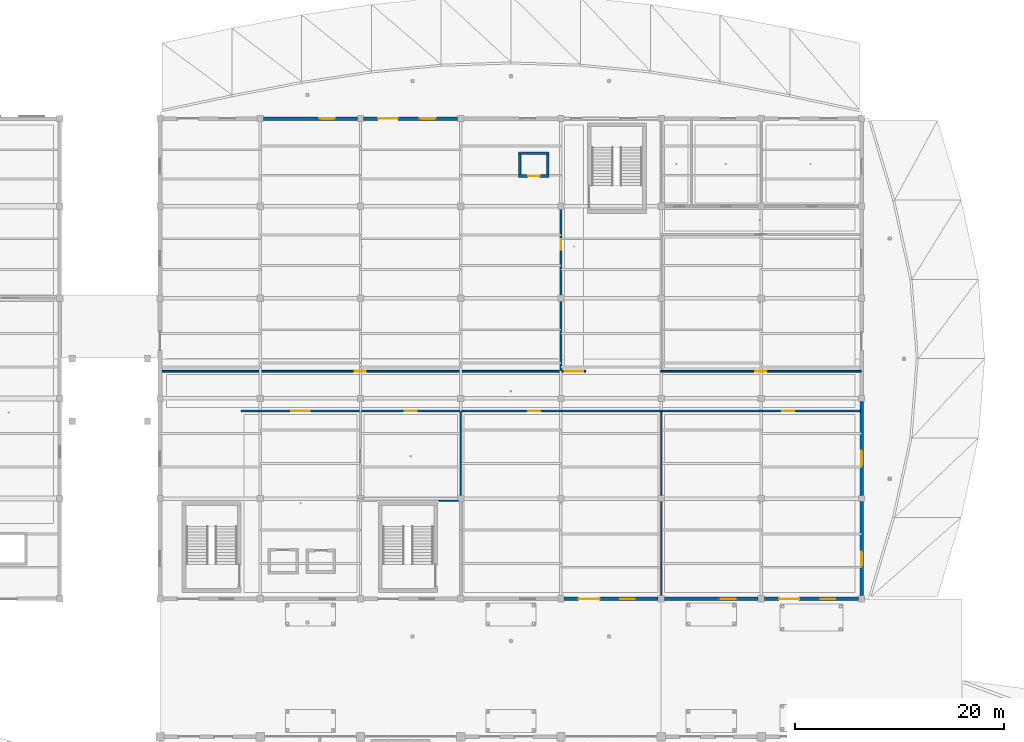
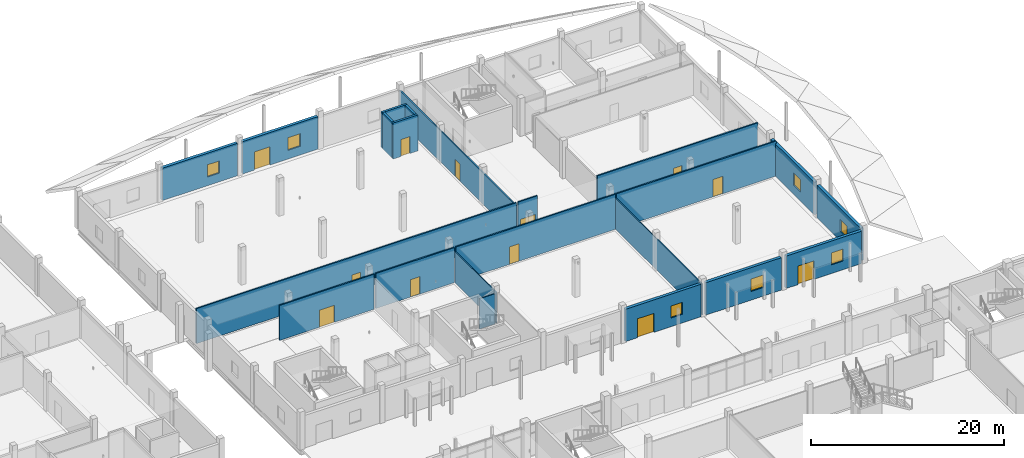
# One storey, part 83 of 116: 22 walls, 12 doors, 7 windows, 19 openings.
"""IFC4 building model written with IfcOpenShell, lengths in metres."""

from ifc_helpers import new_model, si_unit, direction, frame, frame_2d, origin, place, context, subcontext, project, spatial, rectangle, extrude, material, layer, layer_set, type_object, element, fill, save


model = new_model("IFC4")

# Units and contexts
model_context = context("Model", 3, precision=1e-05, world=origin(), true_north=direction((0.0, 1.0)))
body_context = subcontext(model_context, "Body", "Model", "MODEL_VIEW")
ifc_project = project(units=[si_unit("LENGTHUNIT", "METRE"), si_unit("AREAUNIT", "SQUARE_METRE"), si_unit("VOLUMEUNIT", "CUBIC_METRE"), si_unit("PLANEANGLEUNIT", "RADIAN"), si_unit("MASSUNIT", "GRAM", prefix="KILO")], contexts=[model_context])

# Site, building, storey
site_placement = place(None, origin())
site = spatial("IfcSite", under=ifc_project, at=site_placement, CompositionType="ELEMENT")
building_placement = place(site_placement, origin())
building = spatial("IfcBuilding", under=site, at=building_placement, Name="Chalmorin Arch Market", CompositionType="ELEMENT")
storey_placement = place(building_placement, origin())
storey = spatial("IfcBuildingStorey", under=building, at=storey_placement, Name="L00", CompositionType="ELEMENT", Elevation=0.0)

# Wall, opening, door
ifc_material_1 = material(Name="Gypsum Board Partition")
ifc_layer_1 = layer(ifc_material_1, 0.159912109375)
ifc_layer_set_1 = layer_set([ifc_layer_1], Name="Gypsum Board Partition")
wall_type_1 = type_object("IfcWallType", Name="CorridorRatedPartition-160", PredefinedType="PARTITIONING", material=ifc_layer_set_1)
wall_1_placement = place(storey_placement, frame((55.800048828125, 90.0, 0.0), z_axis=(0.0, 0.0, 1.0), x_axis=(1.0, 0.0, 0.0)))
wall_1 = element("IfcWall", 1, at=wall_1_placement, inside=storey, type_object=wall_type_1, Name="CRP-160-441", PredefinedType="PARTITIONING", context=body_context, shape_type="SweptSolid", body=[
    extrude(rectangle(XDim=11.300048828125, YDim=0.159912109375, at=frame_2d((5.64990234375, 0.0))), origin(), (0.0, 0.0, 1.0), 4.419921875),
])
opening_1_placement = place(wall_1_placement, frame((4.75, 0.0, 0.0)))
opening_1 = element("IfcOpeningElement", 2, at=opening_1_placement, cuts=wall_1, Name="Opening ID-128", PredefinedType="OPENING", context=body_context, shape_type="SweptSolid", body=[
    extrude(rectangle(XDim=1.800048828125, YDim=2.14990234375, at=frame_2d((0.89990234375, 1.074951171875))), frame((0.0, 0.08984375, 0.0), z_axis=(0.0, -1.0, 0.0), x_axis=(1.0, 0.0, 0.0)), (0.0, 0.0, 1.0), 0.179931640625),
])
ifc_material_2 = material(Name="Galvanised Steel", Category="steel")
door_type_1 = type_object("IfcDoorType", Name="CorridorFireDoubleDoor-1800x2150", OperationType="DOUBLE_DOOR_SINGLE_SWING", PredefinedType="DOOR", material=ifc_material_2)
door_1_placement = place(opening_1_placement, origin())
door_1 = element("IfcDoor", 3, at=door_1_placement, inside=storey, type_object=door_type_1, Name="ID-128", OperationType="DOUBLE_DOOR_SINGLE_SWING", OverallHeight=2.14990234375, OverallWidth=1.800048828125, PredefinedType="DOOR", context=body_context, shape_type="SweptSolid", body=[
    extrude(rectangle(XDim=1.800048828125, YDim=2.14990234375, at=frame_2d((0.89990234375, 1.074951171875))), frame((0.0, 0.02490234375, 0.0), z_axis=(0.0, -1.0, 0.0), x_axis=(1.0, 0.0, 0.0)), (0.0, 0.0, 1.0), 0.050048828125),
])
fill(opening_1, door_1)

wall_2_placement = place(storey_placement, frame((67.300048828125, 90.0, 0.0), z_axis=(0.0, 0.0, 1.0), x_axis=(1.0, 0.0, 0.0)))
wall_2 = element("IfcWall", 4, at=wall_2_placement, inside=storey, type_object=wall_type_1, Name="CRP-160-443", PredefinedType="PARTITIONING", context=body_context, shape_type="SweptSolid", body=[
    extrude(rectangle(XDim=9.39990234375, YDim=0.159912109375, at=frame_2d((4.699951171875, 0.0))), origin(), (0.0, 0.0, 1.0), 4.419921875),
])
opening_2_placement = place(wall_2_placement, frame((4.125, 0.0, 0.0)))
opening_2 = element("IfcOpeningElement", 5, at=opening_2_placement, cuts=wall_2, Name="Opening ID-129", PredefinedType="OPENING", context=body_context, shape_type="SweptSolid", body=[
    extrude(rectangle(XDim=1.14990234375, YDim=2.199951171875, at=frame_2d((0.574951171875, 1.10009765625))), frame((0.0, 0.08984375, 0.0), z_axis=(0.0, -1.0, 0.0), x_axis=(1.0, 0.0, 0.0)), (0.0, 0.0, 1.0), 0.179931640625),
])
door_type_2 = type_object("IfcDoorType", Name="WorkshopHeavyDoor-1150x2200", OperationType="NOTDEFINED", PredefinedType="DOOR", material=ifc_material_2)
door_2_placement = place(opening_2_placement, origin())
door_2 = element("IfcDoor", 6, at=door_2_placement, inside=storey, type_object=door_type_2, Name="ID-129", OperationType="SINGLE_SWING_LEFT", OverallHeight=2.199951171875, OverallWidth=1.14990234375, PredefinedType="DOOR", context=body_context, shape_type="SweptSolid", body=[
    extrude(rectangle(XDim=1.14990234375, YDim=2.199951171875, at=frame_2d((0.574951171875, 1.10009765625))), frame((0.0, 0.02490234375, 0.0), z_axis=(0.0, -1.0, 0.0), x_axis=(1.0, 0.0, 0.0)), (0.0, 0.0, 1.0), 0.050048828125),
])
fill(opening_2, door_2)

wall_3_placement = place(storey_placement, frame((76.89990234375, 90.0, 0.0), z_axis=(0.0, 0.0, 1.0), x_axis=(1.0, 0.0, 0.0)))
wall_3 = element("IfcWall", 7, at=wall_3_placement, inside=storey, type_object=wall_type_1, Name="CRP-160-445", PredefinedType="PARTITIONING", context=body_context, shape_type="SweptSolid", body=[
    extrude(rectangle(XDim=19.050048828125, YDim=0.159912109375, at=frame_2d((9.52490234375, 0.0))), origin(), (0.0, 0.0, 1.0), 4.419921875),
])
opening_3_placement = place(wall_3_placement, frame((6.373046875, 0.0, 0.0)))
opening_3 = element("IfcOpeningElement", 8, at=opening_3_placement, cuts=wall_3, Name="Opening ID-130", PredefinedType="OPENING", context=body_context, shape_type="SweptSolid", body=[
    extrude(rectangle(XDim=1.14990234375, YDim=2.199951171875, at=frame_2d((0.574951171875, 1.10009765625))), frame((0.0, 0.08984375, 0.0), z_axis=(0.0, -1.0, 0.0), x_axis=(1.0, 0.0, 0.0)), (0.0, 0.0, 1.0), 0.179931640625),
])
door_3_placement = place(opening_3_placement, origin())
door_3 = element("IfcDoor", 9, at=door_3_placement, inside=storey, type_object=door_type_2, Name="ID-130", OperationType="SINGLE_SWING_RIGHT", OverallHeight=2.199951171875, OverallWidth=1.14990234375, PredefinedType="DOOR", context=body_context, shape_type="SweptSolid", body=[
    extrude(rectangle(XDim=1.14990234375, YDim=2.199951171875, at=frame_2d((0.574951171875, 1.10009765625))), frame((0.0, 0.02490234375, 0.0), z_axis=(0.0, -1.0, 0.0), x_axis=(1.0, 0.0, 0.0)), (0.0, 0.0, 1.0), 0.050048828125),
])
fill(opening_3, door_3)

wall_4_placement = place(storey_placement, frame((96.030029296875, 90.0, 0.0), z_axis=(0.0, 0.0, 1.0), x_axis=(1.0, 0.0, 0.0)))
wall_4 = element("IfcWall", 10, at=wall_4_placement, inside=storey, type_object=wall_type_1, Name="CRP-160-446", PredefinedType="PARTITIONING", context=body_context, shape_type="SweptSolid", body=[
    extrude(rectangle(XDim=19.119873046875, YDim=0.159912109375, at=frame_2d((9.56005859375, 0.0))), origin(), (0.0, 0.0, 1.0), 4.419921875),
])
opening_4_placement = place(wall_4_placement, frame((11.572021484375, 0.0, 0.0)))
opening_4 = element("IfcOpeningElement", 11, at=opening_4_placement, cuts=wall_4, Name="Opening ID-131", PredefinedType="OPENING", context=body_context, shape_type="SweptSolid", body=[
    extrude(rectangle(XDim=1.14990234375, YDim=2.199951171875, at=frame_2d((0.574951171875, 1.10009765625))), frame((0.0, 0.08984375, 0.0), z_axis=(0.0, -1.0, 0.0), x_axis=(1.0, 0.0, 0.0)), (0.0, 0.0, 1.0), 0.179931640625),
])
door_4_placement = place(opening_4_placement, origin())
door_4 = element("IfcDoor", 12, at=door_4_placement, inside=storey, type_object=door_type_2, Name="ID-131", OperationType="SINGLE_SWING_LEFT", OverallHeight=2.199951171875, OverallWidth=1.14990234375, PredefinedType="DOOR", context=body_context, shape_type="SweptSolid", body=[
    extrude(rectangle(XDim=1.14990234375, YDim=2.199951171875, at=frame_2d((0.574951171875, 1.10009765625))), frame((0.0, 0.02490234375, 0.0), z_axis=(0.0, -1.0, 0.0), x_axis=(1.0, 0.0, 0.0)), (0.0, 0.0, 1.0), 0.050048828125),
])
fill(opening_4, door_4)

wall_5_placement = place(storey_placement, frame((86.5, 93.800048828125, 0.0), z_axis=(0.0, 0.0, 1.0), x_axis=(1.0, 0.0, 0.0)))
wall_5 = element("IfcWall", 13, at=wall_5_placement, inside=storey, type_object=wall_type_1, Name="CRP-160-447", PredefinedType="PARTITIONING", context=body_context, shape_type="SweptSolid", body=[
    extrude(rectangle(XDim=2.300048828125, YDim=0.159912109375, at=frame_2d((1.14990234375, 0.0))), origin(), (0.0, 0.0, 1.0), 4.419921875),
])
opening_5_placement = place(wall_5_placement, frame((0.25, 0.0, 0.0)))
opening_5 = element("IfcOpeningElement", 14, at=opening_5_placement, cuts=wall_5, Name="Opening ID-132", PredefinedType="OPENING", context=body_context, shape_type="SweptSolid", body=[
    extrude(rectangle(XDim=1.800048828125, YDim=2.14990234375, at=frame_2d((0.89990234375, 1.074951171875))), frame((0.0, 0.08984375, 0.0), z_axis=(0.0, -1.0, 0.0), x_axis=(1.0, 0.0, 0.0)), (0.0, 0.0, 1.0), 0.179931640625),
])
door_5_placement = place(opening_5_placement, origin())
door_5 = element("IfcDoor", 15, at=door_5_placement, inside=storey, type_object=door_type_1, Name="ID-132", OperationType="DOUBLE_DOOR_SINGLE_SWING", OverallHeight=2.14990234375, OverallWidth=1.800048828125, PredefinedType="DOOR", context=body_context, shape_type="SweptSolid", body=[
    extrude(rectangle(XDim=1.800048828125, YDim=2.14990234375, at=frame_2d((0.89990234375, 1.074951171875))), frame((0.0, 0.02490234375, 0.0), z_axis=(0.0, -1.0, 0.0), x_axis=(1.0, 0.0, 0.0)), (0.0, 0.0, 1.0), 0.050048828125),
])
fill(opening_5, door_5)

wall_6_placement = place(storey_placement, frame((48.050048828125, 93.800048828125, 0.0), z_axis=(0.0, 0.0, 1.0), x_axis=(1.0, 0.0, 0.0)))
wall_6 = element("IfcWall", 16, at=wall_6_placement, inside=storey, type_object=wall_type_1, Name="CRP-160-448", PredefinedType="PARTITIONING", context=body_context, shape_type="SweptSolid", body=[
    extrude(rectangle(XDim=38.25, YDim=0.159912109375, at=frame_2d((19.125, 0.0))), origin(), (0.0, 0.0, 1.0), 4.419921875),
])
opening_6_placement = place(wall_6_placement, frame((18.614990234375, 0.0, 0.0)))
opening_6 = element("IfcOpeningElement", 17, at=opening_6_placement, cuts=wall_6, Name="Opening ID-133", PredefinedType="OPENING", context=body_context, shape_type="SweptSolid", body=[
    extrude(rectangle(XDim=1.02001953125, YDim=2.159912109375, at=frame_2d((0.510009765625, 1.080078125))), frame((0.0, 0.08984375, 0.0), z_axis=(0.0, -1.0, 0.0), x_axis=(1.0, 0.0, 0.0)), (0.0, 0.0, 1.0), 0.179931640625),
])
ifc_material_3 = material(Name="Oak Engineered Timber", Category="wood")
door_type_3 = type_object("IfcDoorType", Name="RetailShopInteriorDoor-1020x2160", OperationType="NOTDEFINED", PredefinedType="DOOR", material=ifc_material_3)
door_6_placement = place(opening_6_placement, origin())
door_6 = element("IfcDoor", 18, at=door_6_placement, inside=storey, type_object=door_type_3, Name="ID-133", OperationType="SINGLE_SWING_LEFT", OverallHeight=2.159912109375, OverallWidth=1.02001953125, PredefinedType="DOOR", context=body_context, shape_type="SweptSolid", body=[
    extrude(rectangle(XDim=1.02001953125, YDim=2.159912109375, at=frame_2d((0.510009765625, 1.080078125))), frame((0.0, 0.02490234375, 0.0), z_axis=(0.0, -1.0, 0.0), x_axis=(1.0, 0.0, 0.0)), (0.0, 0.0, 1.0), 0.050048828125),
])
fill(opening_6, door_6)

wall_7_placement = place(storey_placement, frame((95.949951171875, 93.800048828125, 0.0), z_axis=(0.0, 0.0, 1.0), x_axis=(1.0, 0.0, 0.0)))
wall_7 = element("IfcWall", 19, at=wall_7_placement, inside=storey, type_object=wall_type_1, Name="CRP-160-449", PredefinedType="PARTITIONING", context=body_context, shape_type="SweptSolid", body=[
    extrude(rectangle(XDim=19.199951171875, YDim=0.159912109375, at=frame_2d((9.60009765625, 0.0))), origin(), (0.0, 0.0, 1.0), 4.419921875),
])
opening_7_placement = place(wall_7_placement, frame((9.080078125, 0.0, 0.0)))
opening_7 = element("IfcOpeningElement", 20, at=opening_7_placement, cuts=wall_7, Name="Opening ID-134", PredefinedType="OPENING", context=body_context, shape_type="SweptSolid", body=[
    extrude(rectangle(XDim=1.0400390625, YDim=2.179931640625, at=frame_2d((0.52001953125, 1.08984375))), frame((0.0, 0.08984375, 0.0), z_axis=(0.0, -1.0, 0.0), x_axis=(1.0, 0.0, 0.0)), (0.0, 0.0, 1.0), 0.179931640625),
])
door_type_4 = type_object("IfcDoorType", Name="CommunityRoomDoor-1040x2180", OperationType="NOTDEFINED", PredefinedType="DOOR", material=ifc_material_3)
door_7_placement = place(opening_7_placement, origin())
door_7 = element("IfcDoor", 21, at=door_7_placement, inside=storey, type_object=door_type_4, Name="ID-134", OperationType="SINGLE_SWING_RIGHT", OverallHeight=2.179931640625, OverallWidth=1.0400390625, PredefinedType="DOOR", context=body_context, shape_type="SweptSolid", body=[
    extrude(rectangle(XDim=1.0400390625, YDim=2.179931640625, at=frame_2d((0.52001953125, 1.08984375))), frame((0.0, 0.02490234375, 0.0), z_axis=(0.0, -1.0, 0.0), x_axis=(1.0, 0.0, 0.0)), (0.0, 0.0, 1.0), 0.050048828125),
])
fill(opening_7, door_7)

wall_8_placement = place(storey_placement, frame((86.39990234375, 93.89990234375, 0.0), z_axis=(0.0, 0.0, 1.0), x_axis=(0.0, 1.0, 0.0)))
wall_8 = element("IfcWall", 22, at=wall_8_placement, inside=storey, type_object=wall_type_1, Name="CRP-160-450", PredefinedType="PARTITIONING", context=body_context, shape_type="SweptSolid", body=[
    extrude(rectangle(XDim=24.050048828125, YDim=0.159912109375, at=frame_2d((12.02490234375, 0.0))), origin(), (0.0, 0.0, 1.0), 3.919921875),
])
opening_8_placement = place(wall_8_placement, frame((11.514892578125, 0.0, 0.0)))
opening_8 = element("IfcOpeningElement", 23, at=opening_8_placement, cuts=wall_8, Name="Opening ID-135", PredefinedType="OPENING", context=body_context, shape_type="SweptSolid", body=[
    extrude(rectangle(XDim=1.02001953125, YDim=2.159912109375, at=frame_2d((0.510009765625, 1.080078125))), frame((0.0, 0.08984375, 0.0), z_axis=(0.0, -1.0, 0.0), x_axis=(1.0, 0.0, 0.0)), (0.0, 0.0, 1.0), 0.179931640625),
])
door_8_placement = place(opening_8_placement, origin())
door_8 = element("IfcDoor", 24, at=door_8_placement, inside=storey, type_object=door_type_3, Name="ID-135", OperationType="SINGLE_SWING_LEFT", OverallHeight=2.159912109375, OverallWidth=1.02001953125, PredefinedType="DOOR", context=body_context, shape_type="SweptSolid", body=[
    extrude(rectangle(XDim=1.02001953125, YDim=2.159912109375, at=frame_2d((0.510009765625, 1.080078125))), frame((0.0, 0.02490234375, 0.0), z_axis=(0.0, -1.0, 0.0), x_axis=(1.0, 0.0, 0.0)), (0.0, 0.0, 1.0), 0.050048828125),
])
fill(opening_8, door_8)

# Walls
ifc_material_4 = material(Name="Powder-coated Aluminium Panel", Category="aluminium")
ifc_layer_2 = layer(ifc_material_4, 0.125)
ifc_layer_set_2 = layer_set([ifc_layer_2], Name="Powder-coated Aluminium Panel")
wall_type_2 = type_object("IfcWallType", Name="DemountableStudStallPartition-125", PredefinedType="PARTITIONING", material=ifc_layer_set_2)
wall_9_placement = place(storey_placement, frame((76.800048828125, 81.39990234375, 0.0), z_axis=(0.0, 0.0, 1.0), x_axis=(0.0, 1.0, 0.0)))
element("IfcWall", 25, at=wall_9_placement, inside=storey, type_object=wall_type_2, Name="DSP-125-442", PredefinedType="PARTITIONING", context=body_context, shape_type="SweptSolid", body=[
    extrude(rectangle(XDim=8.5, YDim=0.125, at=frame_2d((4.25, 0.0))), origin(), (0.0, 0.0, 1.0), 3.919921875),
])
wall_10_placement = place(storey_placement, frame((96.0, 72.050048828125, 0.0), z_axis=(0.0, 0.0, 1.0), x_axis=(0.0, 1.0, 0.0)))
element("IfcWall", 26, at=wall_10_placement, inside=storey, type_object=wall_type_2, Name="DSP-125-444", PredefinedType="PARTITIONING", context=body_context, shape_type="SweptSolid", body=[
    extrude(rectangle(XDim=17.849853515625, YDim=0.125, at=frame_2d((8.9248046875, 0.0))), origin(), (0.0, 0.0, 1.0), 3.919921875),
])
wall_11_placement = place(storey_placement, frame((74.715087890625, 81.39990234375, 0.0), z_axis=(0.0, 0.0, 1.0), x_axis=(1.0, 0.0, 0.0)))
element("IfcWall", 27, at=wall_11_placement, inside=storey, type_object=wall_type_2, Name="DSP-125-471", PredefinedType="PARTITIONING", context=body_context, shape_type="SweptSolid", body=[
    extrude(rectangle(XDim=1.844970703125, YDim=0.125, at=frame_2d((0.92236328125, 0.0))), origin(), (0.0, 0.0, 1.0), 3.841064453125),
])

# Wall, opening, window
ifc_material_5 = material(Name="Concrete C35/45", Category="concrete")
ifc_layer_3 = layer(ifc_material_5, 0.35009765625)
ifc_layer_set_3 = layer_set([ifc_layer_3], Name="Concrete C35/45")
wall_type_3 = type_object("IfcWallType", Name="PlinthPerimeterWall-350", PredefinedType="SOLIDWALL", material=ifc_layer_set_3)
wall_12_placement = place(storey_placement, frame((57.89990234375, 118.0, 0.0), z_axis=(0.0, 0.0, 1.0), x_axis=(1.0, 0.0, 0.0)))
wall_12 = element("IfcWall", 28, at=wall_12_placement, inside=storey, type_object=wall_type_3, Name="PPW-350-181", PredefinedType="SOLIDWALL", context=body_context, shape_type="SweptSolid", body=[
    extrude(rectangle(XDim=9.0, YDim=0.35009765625, at=frame_2d((4.5, 0.0))), origin(), (0.0, 0.0, 1.0), 4.10009765625),
])
opening_9_placement = place(wall_12_placement, frame((5.39990234375, 0.0, 1.10009765625)))
opening_9 = element("IfcOpeningElement", 29, at=opening_9_placement, cuts=wall_12, Name="Opening WN-102", PredefinedType="OPENING", context=body_context, shape_type="SweptSolid", body=[
    extrude(rectangle(XDim=1.419921875, YDim=1.5400390625, at=frame_2d((0.7099609375, 0.77001953125))), frame((0.0, 0.18505859375, 0.0), z_axis=(0.0, -1.0, 0.0), x_axis=(1.0, 0.0, 0.0)), (0.0, 0.0, 1.0), 0.3701171875),
])
ifc_material_6 = material(Name="Low-E Tempered Glass", Category="glass")
window_type_1 = type_object("IfcWindowType", Name="WorkshopPunchedWindow-1500x1600-1420x1540", PartitioningType="SINGLE_PANEL", PredefinedType="WINDOW", material=ifc_material_6)
window_1_placement = place(opening_9_placement, origin())
window_1 = element("IfcWindow", 30, at=window_1_placement, inside=storey, type_object=window_type_1, Name="WN-102", OverallHeight=1.5400390625, OverallWidth=1.419921875, PartitioningType="SINGLE_PANEL", PredefinedType="WINDOW", context=body_context, shape_type="SweptSolid", body=[
    extrude(rectangle(XDim=1.419921875, YDim=1.5400390625, at=frame_2d((0.7099609375, 0.77001953125))), frame((0.0, 0.030029296875, 0.0), z_axis=(0.0, -1.0, 0.0), x_axis=(1.0, 0.0, 0.0)), (0.0, 0.0, 1.0), 0.06005859375),
])
fill(opening_9, window_1)

# Wall, openings, door, window
wall_13_placement = place(storey_placement, frame((67.5, 118.0, 0.0), z_axis=(0.0, 0.0, 1.0), x_axis=(1.0, 0.0, 0.0)))
wall_13 = element("IfcWall", 31, at=wall_13_placement, inside=storey, type_object=wall_type_3, Name="PPW-350-183", PredefinedType="SOLIDWALL", context=body_context, shape_type="SweptSolid", body=[
    extrude(rectangle(XDim=9.0, YDim=0.35009765625, at=frame_2d((4.5, 0.0))), origin(), (0.0, 0.0, 1.0), 4.10009765625),
])
opening_10_placement = place(wall_13_placement, frame((1.39990234375, 0.0, 0.0)))
opening_10 = element("IfcOpeningElement", 32, at=opening_10_placement, cuts=wall_13, Name="Opening ED-043", PredefinedType="OPENING", context=body_context, shape_type="SweptSolid", body=[
    extrude(rectangle(XDim=1.8798828125, YDim=2.31005859375, at=frame_2d((0.93994140625, 1.155029296875))), frame((0.0, 0.18505859375, 0.0), z_axis=(0.0, -1.0, 0.0), x_axis=(1.0, 0.0, 0.0)), (0.0, 0.0, 1.0), 0.3701171875),
])
opening_11_placement = place(wall_13_placement, frame((5.39990234375, 0.0, 1.10009765625)))
opening_11 = element("IfcOpeningElement", 33, at=opening_11_placement, cuts=wall_13, Name="Opening WN-104", PredefinedType="OPENING", context=body_context, shape_type="SweptSolid", body=[
    extrude(rectangle(XDim=1.5, YDim=1.60009765625, at=frame_2d((0.75, 0.800048828125))), frame((0.0, 0.18505859375, 0.0), z_axis=(0.0, -1.0, 0.0), x_axis=(1.0, 0.0, 0.0)), (0.0, 0.0, 1.0), 0.3701171875),
])
ifc_material_7 = material(Name="Aluminium 6063-T6", Category="aluminium")
door_type_5 = type_object("IfcDoorType", Name="DoubleStorefrontDoor-2000x2400-1880x2310", OperationType="DOUBLE_DOOR_SINGLE_SWING", PredefinedType="DOOR", material=ifc_material_7)
door_9_placement = place(opening_10_placement, origin())
door_9 = element("IfcDoor", 34, at=door_9_placement, inside=storey, type_object=door_type_5, Name="ED-043", OperationType="DOUBLE_DOOR_SINGLE_SWING", OverallHeight=2.31005859375, OverallWidth=1.8798828125, PredefinedType="DOOR", context=body_context, shape_type="SweptSolid", body=[
    extrude(rectangle(XDim=1.8798828125, YDim=2.31005859375, at=frame_2d((0.93994140625, 1.155029296875))), frame((0.0, 0.02490234375, 0.0), z_axis=(0.0, -1.0, 0.0), x_axis=(1.0, 0.0, 0.0)), (0.0, 0.0, 1.0), 0.050048828125),
])
fill(opening_10, door_9)
window_type_2 = type_object("IfcWindowType", Name="WorkshopPunchedWindow-1500x1600", PartitioningType="SINGLE_PANEL", PredefinedType="WINDOW", material=ifc_material_6)
window_2_placement = place(opening_11_placement, origin())
window_2 = element("IfcWindow", 35, at=window_2_placement, inside=storey, type_object=window_type_2, Name="WN-104", OverallHeight=1.60009765625, OverallWidth=1.5, PartitioningType="SINGLE_PANEL", PredefinedType="WINDOW", context=body_context, shape_type="SweptSolid", body=[
    extrude(rectangle(XDim=1.5, YDim=1.60009765625, at=frame_2d((0.75, 0.800048828125))), frame((0.0, 0.030029296875, 0.0), z_axis=(0.0, -1.0, 0.0), x_axis=(1.0, 0.0, 0.0)), (0.0, 0.0, 1.0), 0.06005859375),
])
fill(opening_11, window_2)

wall_14_placement = place(storey_placement, frame((86.699951171875, 72.0, 0.0), z_axis=(0.0, 0.0, 1.0), x_axis=(1.0, 0.0, 0.0)))
wall_14 = element("IfcWall", 36, at=wall_14_placement, inside=storey, type_object=wall_type_3, Name="PPW-350-186", PredefinedType="SOLIDWALL", context=body_context, shape_type="SweptSolid", body=[
    extrude(rectangle(XDim=9.0, YDim=0.35009765625, at=frame_2d((4.5, 0.0))), origin(), (0.0, 0.0, 1.0), 4.10009765625),
])
opening_12_placement = place(wall_14_placement, frame((1.39990234375, 0.0, 0.0)))
opening_12 = element("IfcOpeningElement", 37, at=opening_12_placement, cuts=wall_14, Name="Opening ED-044", PredefinedType="OPENING", context=body_context, shape_type="SweptSolid", body=[
    extrude(rectangle(XDim=2.0, YDim=2.39990234375, at=frame_2d((1.0, 1.199951171875))), frame((0.0, 0.18505859375, 0.0), z_axis=(0.0, -1.0, 0.0), x_axis=(1.0, 0.0, 0.0)), (0.0, 0.0, 1.0), 0.3701171875),
])
opening_13_placement = place(wall_14_placement, frame((5.39990234375, 0.0, 1.10009765625)))
opening_13 = element("IfcOpeningElement", 38, at=opening_13_placement, cuts=wall_14, Name="Opening WN-107", PredefinedType="OPENING", context=body_context, shape_type="SweptSolid", body=[
    extrude(rectangle(XDim=1.3798828125, YDim=1.510009765625, at=frame_2d((0.68994140625, 0.7548828125))), frame((0.0, 0.18505859375, 0.0), z_axis=(0.0, -1.0, 0.0), x_axis=(1.0, 0.0, 0.0)), (0.0, 0.0, 1.0), 0.3701171875),
])
door_type_6 = type_object("IfcDoorType", Name="DoubleStorefrontDoor-2000x2400", OperationType="DOUBLE_DOOR_SINGLE_SWING", PredefinedType="DOOR", material=ifc_material_7)
door_10_placement = place(opening_12_placement, origin())
door_10 = element("IfcDoor", 39, at=door_10_placement, inside=storey, type_object=door_type_6, Name="ED-044", OperationType="DOUBLE_DOOR_SINGLE_SWING", OverallHeight=2.39990234375, OverallWidth=2.0, PredefinedType="DOOR", context=body_context, shape_type="SweptSolid", body=[
    extrude(rectangle(XDim=2.0, YDim=2.39990234375, at=frame_2d((1.0, 1.199951171875))), frame((0.0, 0.02490234375, 0.0), z_axis=(0.0, -1.0, 0.0), x_axis=(1.0, 0.0, 0.0)), (0.0, 0.0, 1.0), 0.050048828125),
])
fill(opening_12, door_10)
window_type_3 = type_object("IfcWindowType", Name="WorkshopPunchedWindow-1500x1600-1380x1510", PartitioningType="SINGLE_PANEL", PredefinedType="WINDOW", material=ifc_material_6)
window_3_placement = place(opening_13_placement, origin())
window_3 = element("IfcWindow", 40, at=window_3_placement, inside=storey, type_object=window_type_3, Name="WN-107", OverallHeight=1.510009765625, OverallWidth=1.3798828125, PartitioningType="SINGLE_PANEL", PredefinedType="WINDOW", context=body_context, shape_type="SweptSolid", body=[
    extrude(rectangle(XDim=1.3798828125, YDim=1.510009765625, at=frame_2d((0.68994140625, 0.7548828125))), frame((0.0, 0.030029296875, 0.0), z_axis=(0.0, -1.0, 0.0), x_axis=(1.0, 0.0, 0.0)), (0.0, 0.0, 1.0), 0.06005859375),
])
fill(opening_13, window_3)

# Wall, opening, window
wall_15_placement = place(storey_placement, frame((96.300048828125, 72.0, 0.0), z_axis=(0.0, 0.0, 1.0), x_axis=(1.0, 0.0, 0.0)))
wall_15 = element("IfcWall", 41, at=wall_15_placement, inside=storey, type_object=wall_type_3, Name="PPW-350-188", PredefinedType="SOLIDWALL", context=body_context, shape_type="SweptSolid", body=[
    extrude(rectangle(XDim=9.0, YDim=0.35009765625, at=frame_2d((4.5, 0.0))), origin(), (0.0, 0.0, 1.0), 4.10009765625),
])
opening_14_placement = place(wall_15_placement, frame((5.39990234375, 0.0, 1.10009765625)))
opening_14 = element("IfcOpeningElement", 42, at=opening_14_placement, cuts=wall_15, Name="Opening WN-109", PredefinedType="OPENING", context=body_context, shape_type="SweptSolid", body=[
    extrude(rectangle(XDim=1.4599609375, YDim=1.570068359375, at=frame_2d((0.72998046875, 0.78515625))), frame((0.0, 0.18505859375, 0.0), z_axis=(0.0, -1.0, 0.0), x_axis=(1.0, 0.0, 0.0)), (0.0, 0.0, 1.0), 0.3701171875),
])
window_type_4 = type_object("IfcWindowType", Name="WorkshopPunchedWindow-1500x1600-1460x1570", PartitioningType="SINGLE_PANEL", PredefinedType="WINDOW", material=ifc_material_6)
window_4_placement = place(opening_14_placement, origin())
window_4 = element("IfcWindow", 43, at=window_4_placement, inside=storey, type_object=window_type_4, Name="WN-109", OverallHeight=1.570068359375, OverallWidth=1.4599609375, PartitioningType="SINGLE_PANEL", PredefinedType="WINDOW", context=body_context, shape_type="SweptSolid", body=[
    extrude(rectangle(XDim=1.4599609375, YDim=1.570068359375, at=frame_2d((0.72998046875, 0.78515625))), frame((0.0, 0.030029296875, 0.0), z_axis=(0.0, -1.0, 0.0), x_axis=(1.0, 0.0, 0.0)), (0.0, 0.0, 1.0), 0.06005859375),
])
fill(opening_14, window_4)

# Wall, openings, door, window
wall_16_placement = place(storey_placement, frame((105.89990234375, 72.0, 0.0), z_axis=(0.0, 0.0, 1.0), x_axis=(1.0, 0.0, 0.0)))
wall_16 = element("IfcWall", 44, at=wall_16_placement, inside=storey, type_object=wall_type_3, Name="PPW-350-190", PredefinedType="SOLIDWALL", context=body_context, shape_type="SweptSolid", body=[
    extrude(rectangle(XDim=9.0, YDim=0.35009765625, at=frame_2d((4.5, 0.0))), origin(), (0.0, 0.0, 1.0), 4.10009765625),
])
opening_15_placement = place(wall_16_placement, frame((1.39990234375, 0.0, 0.0)))
opening_15 = element("IfcOpeningElement", 45, at=opening_15_placement, cuts=wall_16, Name="Opening ED-046", PredefinedType="OPENING", context=body_context, shape_type="SweptSolid", body=[
    extrude(rectangle(XDim=1.919921875, YDim=2.340087890625, at=frame_2d((0.9599609375, 1.169921875))), frame((0.0, 0.18505859375, 0.0), z_axis=(0.0, -1.0, 0.0), x_axis=(1.0, 0.0, 0.0)), (0.0, 0.0, 1.0), 0.3701171875),
])
opening_16_placement = place(wall_16_placement, frame((5.39990234375, 0.0, 1.10009765625)))
opening_16 = element("IfcOpeningElement", 46, at=opening_16_placement, cuts=wall_16, Name="Opening WN-111", PredefinedType="OPENING", context=body_context, shape_type="SweptSolid", body=[
    extrude(rectangle(XDim=1.3798828125, YDim=1.510009765625, at=frame_2d((0.68994140625, 0.7548828125))), frame((0.0, 0.18505859375, 0.0), z_axis=(0.0, -1.0, 0.0), x_axis=(1.0, 0.0, 0.0)), (0.0, 0.0, 1.0), 0.3701171875),
])
door_type_7 = type_object("IfcDoorType", Name="DoubleStorefrontDoor-2000x2400-1920x2340", OperationType="DOUBLE_DOOR_SINGLE_SWING", PredefinedType="DOOR", material=ifc_material_7)
door_11_placement = place(opening_15_placement, origin())
door_11 = element("IfcDoor", 47, at=door_11_placement, inside=storey, type_object=door_type_7, Name="ED-046", OperationType="DOUBLE_DOOR_SINGLE_SWING", OverallHeight=2.340087890625, OverallWidth=1.919921875, PredefinedType="DOOR", context=body_context, shape_type="SweptSolid", body=[
    extrude(rectangle(XDim=1.919921875, YDim=2.340087890625, at=frame_2d((0.9599609375, 1.169921875))), frame((0.0, 0.02490234375, 0.0), z_axis=(0.0, -1.0, 0.0), x_axis=(1.0, 0.0, 0.0)), (0.0, 0.0, 1.0), 0.050048828125),
])
fill(opening_15, door_11)
window_5_placement = place(opening_16_placement, origin())
window_5 = element("IfcWindow", 48, at=window_5_placement, inside=storey, type_object=window_type_3, Name="WN-111", OverallHeight=1.510009765625, OverallWidth=1.3798828125, PartitioningType="SINGLE_PANEL", PredefinedType="WINDOW", context=body_context, shape_type="SweptSolid", body=[
    extrude(rectangle(XDim=1.3798828125, YDim=1.510009765625, at=frame_2d((0.68994140625, 0.7548828125))), frame((0.0, 0.030029296875, 0.0), z_axis=(0.0, -1.0, 0.0), x_axis=(1.0, 0.0, 0.0)), (0.0, 0.0, 1.0), 0.06005859375),
])
fill(opening_16, window_5)

# Wall, opening, window
wall_17_placement = place(storey_placement, frame((115.199951171875, 72.300048828125, 0.0), z_axis=(0.0, 0.0, 1.0), x_axis=(0.0, 1.0, 0.0)))
wall_17 = element("IfcWall", 49, at=wall_17_placement, inside=storey, type_object=wall_type_3, Name="PPW-350-193", PredefinedType="SOLIDWALL", context=body_context, shape_type="SweptSolid", body=[
    extrude(rectangle(XDim=9.0, YDim=0.35009765625, at=frame_2d((4.5, 0.0))), origin(), (0.0, 0.0, 1.0), 4.10009765625),
])
opening_17_placement = place(wall_17_placement, frame((2.800048828125, 0.0, 1.14990234375)))
opening_17 = element("IfcOpeningElement", 50, at=opening_17_placement, cuts=wall_17, Name="Opening WN-114", PredefinedType="OPENING", context=body_context, shape_type="SweptSolid", body=[
    extrude(rectangle(XDim=1.419921875, YDim=1.5400390625, at=frame_2d((0.7099609375, 0.77001953125))), frame((0.0, 0.18505859375, 0.0), z_axis=(0.0, -1.0, 0.0), x_axis=(1.0, 0.0, 0.0)), (0.0, 0.0, 1.0), 0.3701171875),
])
window_6_placement = place(opening_17_placement, origin())
window_6 = element("IfcWindow", 51, at=window_6_placement, inside=storey, type_object=window_type_1, Name="WN-114", OverallHeight=1.5400390625, OverallWidth=1.419921875, PartitioningType="SINGLE_PANEL", PredefinedType="WINDOW", context=body_context, shape_type="SweptSolid", body=[
    extrude(rectangle(XDim=1.419921875, YDim=1.5400390625, at=frame_2d((0.7099609375, 0.77001953125))), frame((0.0, 0.030029296875, 0.0), z_axis=(0.0, -1.0, 0.0), x_axis=(1.0, 0.0, 0.0)), (0.0, 0.0, 1.0), 0.06005859375),
])
fill(opening_17, window_6)

wall_18_placement = place(storey_placement, frame((115.199951171875, 81.89990234375, 0.0), z_axis=(0.0, 0.0, 1.0), x_axis=(0.0, 1.0, 0.0)))
wall_18 = element("IfcWall", 52, at=wall_18_placement, inside=storey, type_object=wall_type_3, Name="PPW-350-196", PredefinedType="SOLIDWALL", context=body_context, shape_type="SweptSolid", body=[
    extrude(rectangle(XDim=9.0, YDim=0.35009765625, at=frame_2d((4.5, 0.0))), origin(), (0.0, 0.0, 1.0), 4.10009765625),
])
opening_18_placement = place(wall_18_placement, frame((2.800048828125, 0.0, 1.14990234375)))
opening_18 = element("IfcOpeningElement", 53, at=opening_18_placement, cuts=wall_18, Name="Opening WN-116", PredefinedType="OPENING", context=body_context, shape_type="SweptSolid", body=[
    extrude(rectangle(XDim=1.5, YDim=1.60009765625, at=frame_2d((0.75, 0.800048828125))), frame((0.0, 0.18505859375, 0.0), z_axis=(0.0, -1.0, 0.0), x_axis=(1.0, 0.0, 0.0)), (0.0, 0.0, 1.0), 0.3701171875),
])
window_7_placement = place(opening_18_placement, origin())
window_7 = element("IfcWindow", 54, at=window_7_placement, inside=storey, type_object=window_type_2, Name="WN-116", OverallHeight=1.60009765625, OverallWidth=1.5, PartitioningType="SINGLE_PANEL", PredefinedType="WINDOW", context=body_context, shape_type="SweptSolid", body=[
    extrude(rectangle(XDim=1.5, YDim=1.60009765625, at=frame_2d((0.75, 0.800048828125))), frame((0.0, 0.030029296875, 0.0), z_axis=(0.0, -1.0, 0.0), x_axis=(1.0, 0.0, 0.0)), (0.0, 0.0, 1.0), 0.06005859375),
])
fill(opening_18, window_7)

# Wall, opening, door
ifc_layer_4 = layer(ifc_material_5, 0.25)
ifc_layer_set_4 = layer_set([ifc_layer_4], Name="Concrete C35/45")
wall_type_4 = type_object("IfcWallType", Name="ShaftEnclosureWall-250", PredefinedType="SOLIDWALL", material=ifc_layer_set_4)
wall_19_placement = place(storey_placement, frame((85.27490234375, 112.5, 0.0), z_axis=(0.0, 0.0, 1.0), x_axis=(-1.0, 0.0, 0.0)))
wall_19 = element("IfcWall", 55, at=wall_19_placement, inside=storey, type_object=wall_type_4, Name="SEW-250-198", PredefinedType="SOLIDWALL", context=body_context, shape_type="SweptSolid", body=[
    extrude(rectangle(XDim=2.949951171875, YDim=0.25, at=frame_2d((1.47509765625, 0.0))), origin(), (0.0, 0.0, 1.0), 4.550048828125),
])
opening_19_placement = place(wall_19_placement, frame((0.925048828125, 0.0, 0.0)))
opening_19 = element("IfcOpeningElement", 56, at=opening_19_placement, cuts=wall_19, Name="Opening LD-LF-FF2-L00", PredefinedType="OPENING", context=body_context, shape_type="SweptSolid", body=[
    extrude(rectangle(XDim=1.10009765625, YDim=2.14990234375, at=frame_2d((0.550048828125, 1.074951171875))), frame((0.0, 0.135009765625, 0.0), z_axis=(0.0, -1.0, 0.0), x_axis=(1.0, 0.0, 0.0)), (0.0, 0.0, 1.0), 0.27001953125),
])
ifc_material_8 = material(Name="Stainless Steel 316", Category="steel")
door_type_8 = type_object("IfcDoorType", Name="LiftLandingSlidingDoor-1100x2150", OperationType="DOUBLE_DOOR_SLIDING", PredefinedType="DOOR", material=ifc_material_8)
door_12_placement = place(opening_19_placement, origin())
door_12 = element("IfcDoor", 57, at=door_12_placement, inside=storey, type_object=door_type_8, Name="LD-LF-FF2-L00", OperationType="DOUBLE_DOOR_SLIDING", OverallHeight=2.14990234375, OverallWidth=1.10009765625, PredefinedType="DOOR", context=body_context, shape_type="SweptSolid", body=[
    extrude(rectangle(XDim=1.10009765625, YDim=2.14990234375, at=frame_2d((0.550048828125, 1.074951171875))), frame((0.0, 0.02490234375, 0.0), z_axis=(0.0, -1.0, 0.0), x_axis=(1.0, 0.0, 0.0)), (0.0, 0.0, 1.0), 0.050048828125),
])
fill(opening_19, door_12)

# Walls
wall_20_placement = place(storey_placement, frame((82.324951171875, 114.699951171875, 0.0), z_axis=(0.0, 0.0, 1.0), x_axis=(1.0, 0.0, 0.0)))
element("IfcWall", 58, at=wall_20_placement, inside=storey, type_object=wall_type_4, Name="SEW-250-199", PredefinedType="SOLIDWALL", context=body_context, shape_type="SweptSolid", body=[
    extrude(rectangle(XDim=2.949951171875, YDim=0.25, at=frame_2d((1.47509765625, 0.0))), origin(), (0.0, 0.0, 1.0), 4.550048828125),
])
for number, where, z_axis, x_axis, name in (
    (59, (82.449951171875, 112.625, 0.0), (0.0, 0.0, 1.0), (0.0, 1.0, 0.0), "SEW-250-200"),
    (60, (85.14990234375, 114.574951171875, 0.0), (0.0, 0.0, 1.0), (0.0, -1.0, 0.0), "SEW-250-201"),
):
    element("IfcWall", number, at=place(storey_placement, frame(where, z_axis=z_axis, x_axis=x_axis)), inside=storey, type_object=wall_type_4, Name=name, PredefinedType="SOLIDWALL", context=body_context, shape_type="SweptSolid", body=[
        extrude(rectangle(XDim=1.949951171875, YDim=0.25, at=frame_2d((0.97509765625, 0.0))), origin(), (0.0, 0.0, 1.0), 4.550048828125),
    ])

save(model, "model.ifc")
